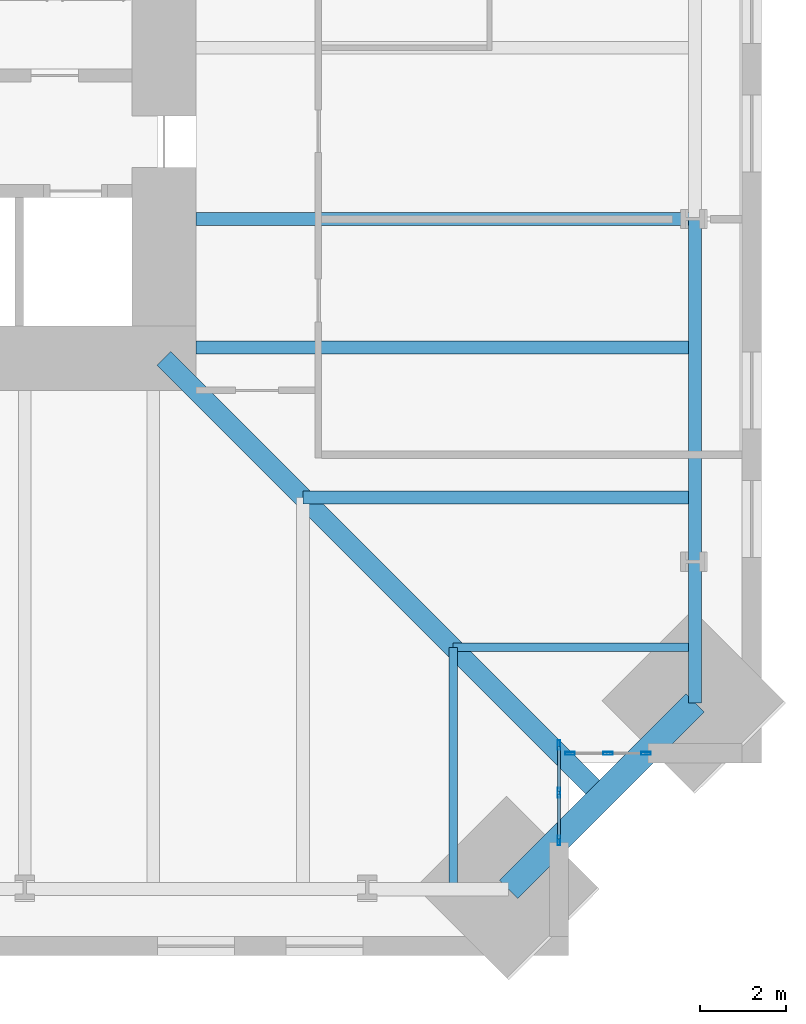
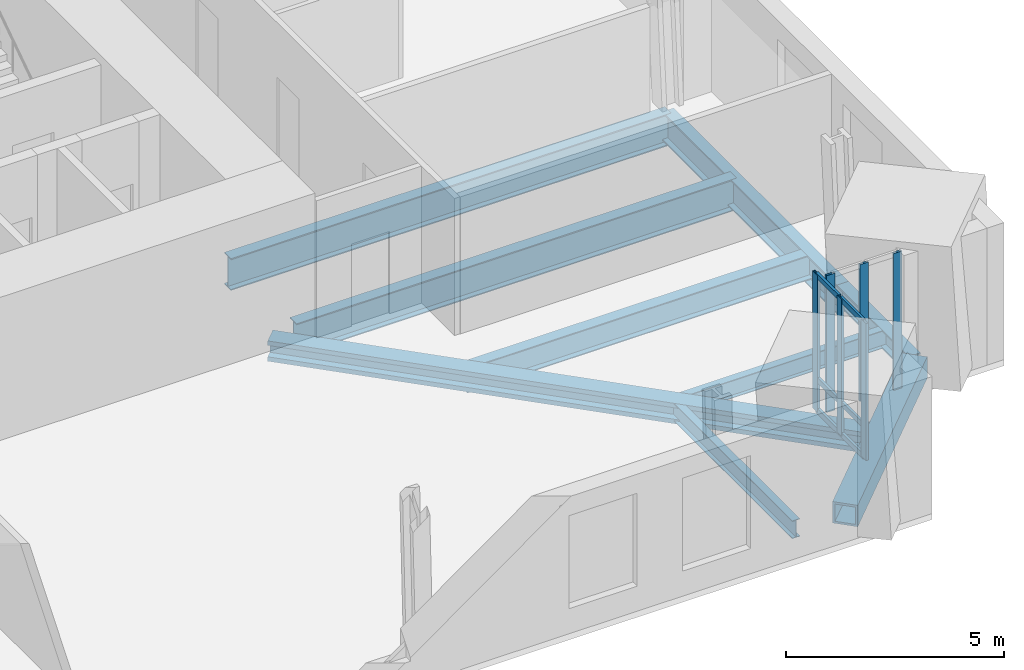
# One storey, part 4 of 15: 12 members, 9 beams, 2 elements without a shape of their own.
"""IFC4 building model written with IfcOpenShell, lengths in metres."""

from ifc_helpers import new_model, si_unit, direction, frame, origin, origin_2d, place, context, subcontext, project, spatial, hollow_rectangle, i_section, extrude, material, material_profile, profile_set, type_object, element, aggregate, save


model = new_model("IFC4")

# Units and contexts
model_context = context("Model", 3, precision=1e-05, world=origin(), true_north=direction((0.0, 1.0)))
body_context = subcontext(model_context, "Body", "Model", "MODEL_VIEW")
ifc_project = project(units=[si_unit("LENGTHUNIT", "METRE"), si_unit("AREAUNIT", "SQUARE_METRE"), si_unit("VOLUMEUNIT", "CUBIC_METRE"), si_unit("PLANEANGLEUNIT", "RADIAN"), si_unit("MASSUNIT", "GRAM", prefix="KILO")], contexts=[model_context])

# Site, building, storey
site_placement = place(None, origin())
site = spatial("IfcSite", under=ifc_project, at=site_placement, CompositionType="ELEMENT")
building_placement = place(site_placement, origin())
building = spatial("IfcBuilding", under=site, at=building_placement, Name="Peilmerk Tower", CompositionType="ELEMENT")
storey_placement = place(building_placement, frame((0.0, 0.0, 179.800048828125)))
storey = spatial("IfcBuildingStorey", under=building, at=storey_placement, Name="L38", CompositionType="ELEMENT", Elevation=179.800048828125)

# Beams
ifc_material_1 = material(Name="Steel S355", Category="steel")
ifc_material_profile_1 = material_profile(ifc_material_1, i_section(OverallWidth=0.302978515625, OverallDepth=0.81396484375, WebThickness=0.02099609375, FlangeThickness=0.0400390625, at=origin_2d()), Name="HEM 800")
ifc_profile_set_1 = profile_set([ifc_material_profile_1], Name="Steel S355")
beam_type_1 = type_object("IfcBeamType", Name="B15 HEM 800 edge beam", PredefinedType="SPANDREL", material=ifc_profile_set_1)
beam_1_placement = place(storey_placement, frame((23.646728515625, -16.0, -0.5771484375), z_axis=(0.0, 1.0, 0.0), x_axis=(-1.0, 0.0, 0.0)))
element("IfcBeam", 1, at=beam_1_placement, inside=storey, type_object=beam_type_1, Name="Edge beam L38", PredefinedType="SPANDREL", context=body_context, shape_type="SweptSolid", body=[
    extrude(i_section(OverallWidth=0.302978515625, OverallDepth=0.81396484375, WebThickness=0.02099609375, FlangeThickness=0.0400390625, at=origin_2d()), origin(), (0.0, 0.0, 1.0), 8.0),
])
ifc_material_profile_2 = material_profile(ifc_material_1, i_section(OverallWidth=0.300048828125, OverallDepth=0.68994140625, WebThickness=0.014404296875, FlangeThickness=0.027099609375, at=origin_2d()), Name="HEA 700")
ifc_profile_set_2 = profile_set([ifc_material_profile_2], Name="Steel S355")
beam_type_2 = type_object("IfcBeamType", Name="B16 HEA 700 floor beam", PredefinedType="BEAM", material=ifc_profile_set_2)
beam_2_placement = place(storey_placement, frame((14.5, -14.5, -0.51513671875), z_axis=(1.0, 0.0, 0.0), x_axis=(0.0, 1.0, 0.0)))
element("IfcBeam", 2, at=beam_2_placement, inside=storey, type_object=beam_type_2, Name="Floor beam L38", PredefinedType="BEAM", context=body_context, shape_type="SweptSolid", body=[
    extrude(i_section(OverallWidth=0.300048828125, OverallDepth=0.68994140625, WebThickness=0.014404296875, FlangeThickness=0.027099609375, at=origin_2d()), origin(), (0.0, 0.0, 1.0), 9.146728515625),
])
ifc_material_2 = material(Name="Steel S460", Category="steel")
ifc_material_profile_3 = material_profile(ifc_material_2, hollow_rectangle(XDim=0.60009765625, YDim=0.60009765625, WallThickness=0.06005859375, at=origin_2d()), Name="BOX 600x600x60")
ifc_profile_set_3 = profile_set([ifc_material_profile_3], Name="Steel S460")
beam_type_3 = type_object("IfcBeamType", Name="B20 BOX 600x600x60 notch beam", PredefinedType="SPANDREL", material=ifc_profile_set_3)
beam_3_placement = place(storey_placement, frame((23.646728515625, -19.296875, -0.469970703125), z_axis=(-0.707106781187, -0.707106781187, 0.0), x_axis=(0.707106781187, -0.707106781187, 0.0)))
element("IfcBeam", 3, at=beam_3_placement, inside=storey, type_object=beam_type_3, Name="Notch beam L38", PredefinedType="SPANDREL", context=body_context, shape_type="SweptSolid", body=[
    extrude(hollow_rectangle(XDim=0.60009765625, YDim=0.60009765625, WallThickness=0.06005859375, at=origin_2d()), origin(), (0.0, 0.0, 1.0), 6.151611328125),
])
ifc_material_profile_4 = material_profile(ifc_material_1, i_section(OverallWidth=0.199951171875, OverallDepth=0.5, WebThickness=0.01025390625, FlangeThickness=0.01611328125, at=origin_2d()), Name="IPE 500")
ifc_profile_set_4 = profile_set([ifc_material_profile_4], Name="Steel S355")
beam_type_4 = type_object("IfcBeamType", Name="B32 IPE 500 floor beam", PredefinedType="BEAM", material=ifc_profile_set_4)
for number, where, z_axis, x_axis, name in (
    (4, (18.0, -18.0, -0.420166015625), (0.0, -1.0, 0.0), (1.0, 0.0, 0.0), "Floor beam L38"),
    (5, (18.0, -18.0, -0.420166015625), (1.0, 0.0, 0.0), (0.0, 1.0, 0.0), "Floor beam L38"),
):
    element("IfcBeam", number, at=place(storey_placement, frame(where, z_axis=z_axis, x_axis=x_axis)), inside=storey, type_object=beam_type_4, Name=name, PredefinedType="BEAM", context=body_context, shape_type="SweptSolid", body=[
        extrude(i_section(OverallWidth=0.199951171875, OverallDepth=0.5, WebThickness=0.01025390625, FlangeThickness=0.01611328125, at=origin_2d()), origin(), (0.0, 0.0, 1.0), 5.646728515625),
    ])
ifc_material_profile_5 = material_profile(ifc_material_1, i_section(OverallWidth=0.305908203125, OverallDepth=0.52392578125, WebThickness=0.02099609375, FlangeThickness=0.0400390625, at=origin_2d()), Name="HEM 500")
ifc_profile_set_5 = profile_set([ifc_material_profile_5], Name="Steel S355")
beam_type_5 = type_object("IfcBeamType", Name="B33 HEM 500 edge beam", PredefinedType="SPANDREL", material=ifc_profile_set_5)
beam_4_placement = place(storey_placement, frame((23.646728515625, -19.296875, -0.43212890625), z_axis=(0.0, 1.0, 0.0), x_axis=(-1.0, 0.0, 0.0)))
element("IfcBeam", 6, at=beam_4_placement, inside=storey, type_object=beam_type_5, Name="Edge beam L38", PredefinedType="SPANDREL", context=body_context, shape_type="SweptSolid", body=[
    extrude(i_section(OverallWidth=0.305908203125, OverallDepth=0.52392578125, WebThickness=0.02099609375, FlangeThickness=0.0400390625, at=origin_2d()), origin(), (0.0, 0.0, 1.0), 3.296875),
])
ifc_material_profile_6 = material_profile(ifc_material_1, i_section(OverallWidth=0.300048828125, OverallDepth=0.889892578125, WebThickness=0.01611328125, FlangeThickness=0.030029296875, at=origin_2d()), Name="HEA 900")
ifc_profile_set_6 = profile_set([ifc_material_profile_6], Name="Steel S355")
beam_type_6 = type_object("IfcBeamType", Name="B4 HEA 900 floor beam", PredefinedType="BEAM", material=ifc_profile_set_6)
for number, where, z_axis, x_axis, name in (
    (7, (12.0, -11.0, -0.614990234375), (1.0, 0.0, 0.0), (0.0, 1.0, 0.0), "Floor beam L38"),
    (8, (12.0, -8.0, -0.614990234375), (1.0, 0.0, 0.0), (0.0, 1.0, 0.0), "Floor beam L38"),
):
    element("IfcBeam", number, at=place(storey_placement, frame(where, z_axis=z_axis, x_axis=x_axis)), inside=storey, type_object=beam_type_6, Name=name, PredefinedType="BEAM", context=body_context, shape_type="SweptSolid", body=[
        extrude(i_section(OverallWidth=0.300048828125, OverallDepth=0.889892578125, WebThickness=0.01611328125, FlangeThickness=0.030029296875, at=origin_2d()), origin(), (0.0, 0.0, 1.0), 11.646728515625),
    ])
ifc_material_profile_7 = material_profile(ifc_material_2, i_section(OverallWidth=0.4541015625, OverallDepth=0.569091796875, WebThickness=0.077880859375, FlangeThickness=0.125, at=origin_2d()), Name="HD 400x1086")
ifc_profile_set_7 = profile_set([ifc_material_profile_7], Name="Steel S460")
beam_type_7 = type_object("IfcBeamType", Name="B9 HD 400x1086 corner girder", PredefinedType="BEAM", material=ifc_profile_set_7)
beam_5_placement = place(storey_placement, frame((11.25, -11.25, -0.45458984375), z_axis=(0.707106781187, -0.707106781187, 0.0), x_axis=(0.707106781187, 0.707106781187, 0.0)))
element("IfcBeam", 9, at=beam_5_placement, inside=storey, type_object=beam_type_7, Name="Corner girder L38", PredefinedType="BEAM", context=body_context, shape_type="SweptSolid", body=[
    extrude(i_section(OverallWidth=0.4541015625, OverallDepth=0.569091796875, WebThickness=0.077880859375, FlangeThickness=0.125, at=origin_2d()), origin(), (0.0, 0.0, 1.0), 14.45556640625),
])

# Curtain wall, members
ifc_material_3 = material(Name="Aluminium stick curtain wall", Category="aluminium")
curtain_wall_type = type_object("IfcCurtainWallType", Name="CW3 stick curtain wall, 2250 module", PredefinedType="NOTDEFINED", material=ifc_material_3)
curtain_wall_1_placement = place(storey_placement, origin())
curtain_wall_1 = element("IfcCurtainWall", 10, at=curtain_wall_1_placement, inside=storey, type_object=curtain_wall_type, Name="Curtain wall CW3 SEA L38", PredefinedType="NOTDEFINED")
ifc_material_4 = material(Name="Aluminium EN AW-6063 T6", Category="aluminium")
ifc_material_profile_8 = material_profile(ifc_material_4, hollow_rectangle(XDim=0.06494140625, YDim=0.22509765625, WallThickness=0.00390625, at=origin_2d()), Name="AL 225x65x4")
ifc_profile_set_8 = profile_set([ifc_material_profile_8], Name="Aluminium EN AW-6063 T6")
member_type_1 = type_object("IfcMemberType", Name="CW3-M AL 225x65x4 mullion", PredefinedType="MULLION", material=ifc_profile_set_8)
member_1_placement = place(storey_placement, frame((20.47509765625, -20.282470703125, 0.0), z_axis=(0.0, 0.0, 1.0), x_axis=(1.0, 0.0, 0.0)))
member_1 = element("IfcMember", 11, at=member_1_placement, type_object=member_type_1, Name="CW3 mullion 1", PredefinedType="MULLION", context=body_context, shape_type="SweptSolid", body=[
    extrude(hollow_rectangle(XDim=0.06494140625, YDim=0.22509765625, WallThickness=0.00390625, at=origin_2d()), origin(), (0.0, 0.0, 1.0), 3.829833984375),
])
member_2_placement = place(storey_placement, frame((20.47509765625, -21.394287109375, 0.0), z_axis=(0.0, 0.0, 1.0), x_axis=(1.0, 0.0, 0.0)))
member_2 = element("IfcMember", 12, at=member_2_placement, type_object=member_type_1, Name="CW3 mullion 2", PredefinedType="MULLION", context=body_context, shape_type="SweptSolid", body=[
    extrude(hollow_rectangle(XDim=0.06494140625, YDim=0.22509765625, WallThickness=0.00390625, at=origin_2d()), origin(), (0.0, 0.0, 1.0), 3.829833984375),
])
member_3_placement = place(storey_placement, frame((20.47509765625, -22.506103515625, 0.0), z_axis=(0.0, 0.0, 1.0), x_axis=(1.0, 0.0, 0.0)))
member_3 = element("IfcMember", 13, at=member_3_placement, type_object=member_type_1, Name="CW3 mullion 3", PredefinedType="MULLION", context=body_context, shape_type="SweptSolid", body=[
    extrude(hollow_rectangle(XDim=0.06494140625, YDim=0.22509765625, WallThickness=0.00390625, at=origin_2d()), origin(), (0.0, 0.0, 1.0), 3.829833984375),
])

curtain_wall_2_placement = place(storey_placement, origin())
curtain_wall_2 = element("IfcCurtainWall", 14, at=curtain_wall_2_placement, inside=storey, type_object=curtain_wall_type, Name="Curtain wall CW3 SEB L38", PredefinedType="NOTDEFINED")
member_4_placement = place(storey_placement, frame((20.732421875, -20.47509765625, 0.0), z_axis=(0.0, 0.0, 1.0), x_axis=(0.0, 1.0, 0.0)))
member_4 = element("IfcMember", 15, at=member_4_placement, type_object=member_type_1, Name="CW3 mullion 1", PredefinedType="MULLION", context=body_context, shape_type="SweptSolid", body=[
    extrude(hollow_rectangle(XDim=0.06494140625, YDim=0.22509765625, WallThickness=0.00390625, at=origin_2d()), origin(), (0.0, 0.0, 1.0), 3.829833984375),
])
member_5_placement = place(storey_placement, frame((21.619384765625, -20.47509765625, 0.0), z_axis=(0.0, 0.0, 1.0), x_axis=(0.0, 1.0, 0.0)))
member_5 = element("IfcMember", 16, at=member_5_placement, type_object=member_type_1, Name="CW3 mullion 2", PredefinedType="MULLION", context=body_context, shape_type="SweptSolid", body=[
    extrude(hollow_rectangle(XDim=0.06494140625, YDim=0.22509765625, WallThickness=0.00390625, at=origin_2d()), origin(), (0.0, 0.0, 1.0), 3.829833984375),
])
member_6_placement = place(storey_placement, frame((22.506103515625, -20.47509765625, 0.0), z_axis=(0.0, 0.0, 1.0), x_axis=(0.0, 1.0, 0.0)))
member_6 = element("IfcMember", 17, at=member_6_placement, type_object=member_type_1, Name="CW3 mullion 3", PredefinedType="MULLION", context=body_context, shape_type="SweptSolid", body=[
    extrude(hollow_rectangle(XDim=0.06494140625, YDim=0.22509765625, WallThickness=0.00390625, at=origin_2d()), origin(), (0.0, 0.0, 1.0), 3.829833984375),
])
aggregate(curtain_wall_2, [member_4, member_5, member_6])

# Member
ifc_material_profile_9 = material_profile(ifc_material_4, hollow_rectangle(XDim=0.06494140625, YDim=0.14990234375, WallThickness=0.0029296875, at=origin_2d()), Name="AL 150x65x3")
ifc_profile_set_9 = profile_set([ifc_material_profile_9], Name="Aluminium EN AW-6063 T6")
member_type_2 = type_object("IfcMemberType", Name="CW3-T AL 150x65x3 transom", PredefinedType="USERDEFINED", material=ifc_profile_set_9)
member_7_placement = place(storey_placement, frame((20.47509765625, -20.31494140625, 0.032470703125), z_axis=(0.0, -1.0, 0.0), x_axis=(1.0, 0.0, 0.0)))
member_7 = element("IfcMember", 18, at=member_7_placement, type_object=member_type_2, Name="CW3 transom 1.1", ObjectType="TRANSOM", PredefinedType="USERDEFINED", context=body_context, shape_type="SweptSolid", body=[
    extrude(hollow_rectangle(XDim=0.06494140625, YDim=0.14990234375, WallThickness=0.0029296875, at=origin_2d()), origin(), (0.0, 0.0, 1.0), 1.046875),
])

member_8_placement = place(storey_placement, frame((20.47509765625, -20.31494140625, 0.89990234375), z_axis=(0.0, -1.0, 0.0), x_axis=(1.0, 0.0, 0.0)))
member_8 = element("IfcMember", 19, at=member_8_placement, type_object=member_type_2, Name="CW3 transom 1.2", ObjectType="TRANSOM", PredefinedType="USERDEFINED", context=body_context, shape_type="SweptSolid", body=[
    extrude(hollow_rectangle(XDim=0.06494140625, YDim=0.14990234375, WallThickness=0.0029296875, at=origin_2d()), origin(), (0.0, 0.0, 1.0), 1.046875),
])

member_9_placement = place(storey_placement, frame((20.47509765625, -20.31494140625, 3.79736328125), z_axis=(0.0, -1.0, 0.0), x_axis=(1.0, 0.0, 0.0)))
member_9 = element("IfcMember", 20, at=member_9_placement, type_object=member_type_2, Name="CW3 transom 1.3", ObjectType="TRANSOM", PredefinedType="USERDEFINED", context=body_context, shape_type="SweptSolid", body=[
    extrude(hollow_rectangle(XDim=0.06494140625, YDim=0.14990234375, WallThickness=0.0029296875, at=origin_2d()), origin(), (0.0, 0.0, 1.0), 1.046875),
])

member_10_placement = place(storey_placement, frame((20.47509765625, -21.4267578125, 0.032470703125), z_axis=(0.0, -1.0, 0.0), x_axis=(1.0, 0.0, 0.0)))
member_10 = element("IfcMember", 21, at=member_10_placement, type_object=member_type_2, Name="CW3 transom 2.1", ObjectType="TRANSOM", PredefinedType="USERDEFINED", context=body_context, shape_type="SweptSolid", body=[
    extrude(hollow_rectangle(XDim=0.06494140625, YDim=0.14990234375, WallThickness=0.0029296875, at=origin_2d()), origin(), (0.0, 0.0, 1.0), 1.046875),
])

member_11_placement = place(storey_placement, frame((20.47509765625, -21.4267578125, 0.89990234375), z_axis=(0.0, -1.0, 0.0), x_axis=(1.0, 0.0, 0.0)))
member_11 = element("IfcMember", 22, at=member_11_placement, type_object=member_type_2, Name="CW3 transom 2.2", ObjectType="TRANSOM", PredefinedType="USERDEFINED", context=body_context, shape_type="SweptSolid", body=[
    extrude(hollow_rectangle(XDim=0.06494140625, YDim=0.14990234375, WallThickness=0.0029296875, at=origin_2d()), origin(), (0.0, 0.0, 1.0), 1.046875),
])

member_12_placement = place(storey_placement, frame((20.47509765625, -21.4267578125, 3.79736328125), z_axis=(0.0, -1.0, 0.0), x_axis=(1.0, 0.0, 0.0)))
member_12 = element("IfcMember", 23, at=member_12_placement, type_object=member_type_2, Name="CW3 transom 2.3", ObjectType="TRANSOM", PredefinedType="USERDEFINED", context=body_context, shape_type="SweptSolid", body=[
    extrude(hollow_rectangle(XDim=0.06494140625, YDim=0.14990234375, WallThickness=0.0029296875, at=origin_2d()), origin(), (0.0, 0.0, 1.0), 1.046875),
])

aggregate(curtain_wall_1, [member_1, member_2, member_3, member_7, member_8, member_9, member_10, member_11, member_12])

save(model, "model.ifc")
